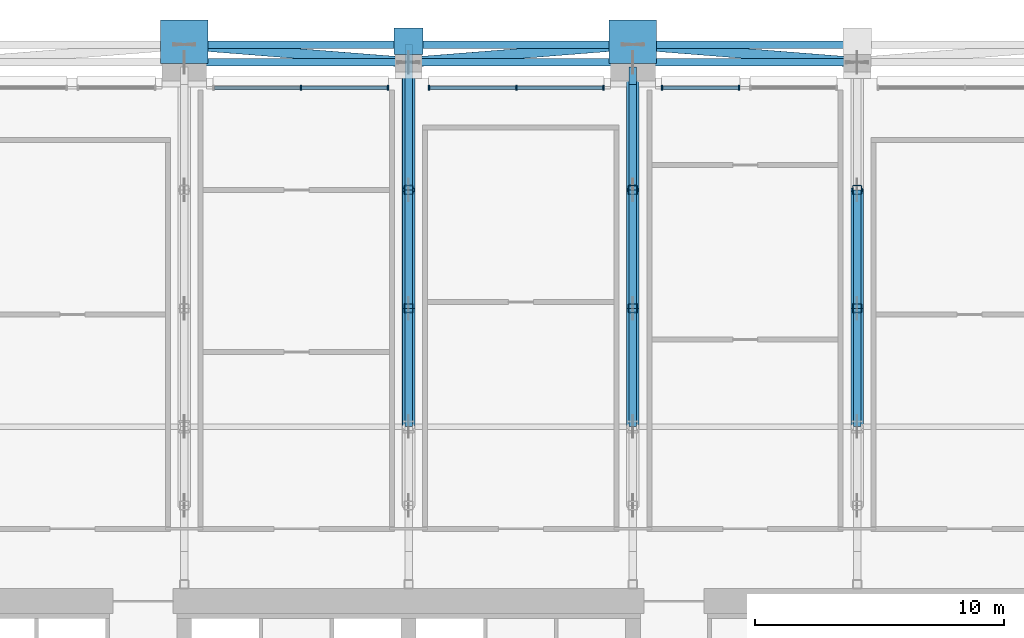
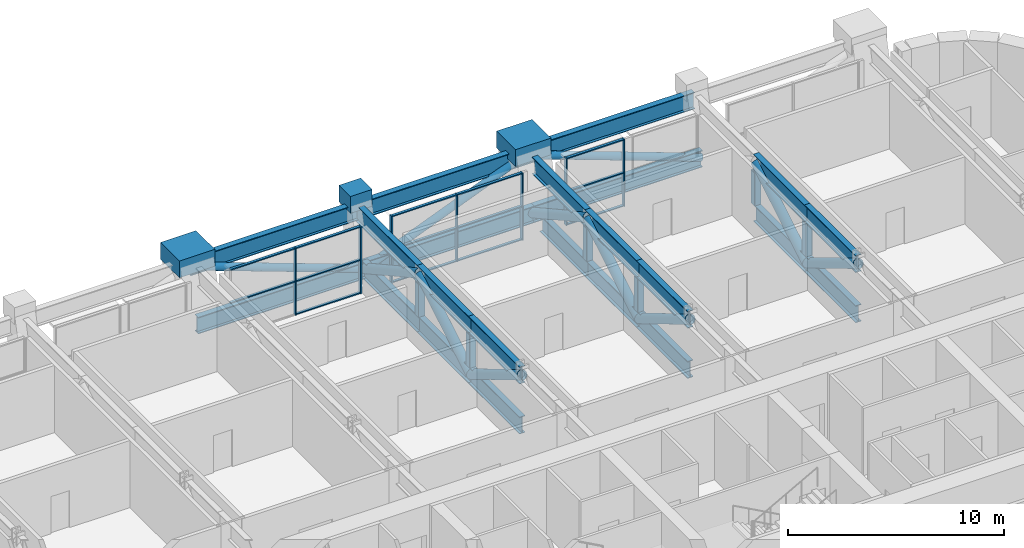
# One storey, part 7 of 27: 60 members, 3 beams, 3 elements without a shape of their own.
"""IFC4 building model written with IfcOpenShell, lengths in metres."""

from ifc_helpers import new_model, si_unit, direction, frame, origin, origin_2d, place, context, subcontext, project, spatial, rectangle, hollow_rectangle, hollow_circle, i_section, extrude, material, material_profile, profile_set, type_object, element, aggregate, save


model = new_model("IFC4")

# Units and contexts
model_context = context("Model", 3, precision=1e-05, world=origin(), true_north=direction((0.0, 1.0)))
body_context = subcontext(model_context, "Body", "Model", "MODEL_VIEW")
ifc_project = project(units=[si_unit("LENGTHUNIT", "METRE"), si_unit("AREAUNIT", "SQUARE_METRE"), si_unit("VOLUMEUNIT", "CUBIC_METRE"), si_unit("PLANEANGLEUNIT", "RADIAN"), si_unit("MASSUNIT", "GRAM", prefix="KILO")], contexts=[model_context])

# Site, building, storey
site_placement = place(None, origin())
site = spatial("IfcSite", under=ifc_project, at=site_placement, CompositionType="ELEMENT")
building_placement = place(site_placement, origin())
building = spatial("IfcBuilding", under=site, at=building_placement, Name="Zellij Exchange Tower", CompositionType="ELEMENT")
storey_placement = place(building_placement, frame((0.0, 0.0, 104.5)))
storey = spatial("IfcBuildingStorey", under=building, at=storey_placement, Name="L22", CompositionType="ELEMENT", Elevation=104.5)

# Curtain wall, members
ifc_material_1 = material(Name="Aluminium frame, clear insulating glass", Category="aluminium")
curtain_wall_type = type_object("IfcCurtainWallType", Name="ENV-CW2 Outrigger-storey glazing", PredefinedType="NOTDEFINED", material=ifc_material_1)
curtain_wall_1_placement = place(storey_placement, origin())
curtain_wall_1 = element("IfcCurtainWall", 1, at=curtain_wall_1_placement, inside=storey, type_object=curtain_wall_type, Name="cw.L22.14d", PredefinedType="NOTDEFINED")
ifc_material_2 = material(Name="Aluminium", Category="aluminium")
ifc_material_profile_1 = material_profile(ifc_material_2, rectangle(XDim=0.06005859375, YDim=0.199951171875, at=origin_2d()), Name="AL 60x200")
ifc_profile_set_1 = profile_set([ifc_material_profile_1], Name="Aluminium")
member_type_1 = type_object("IfcMemberType", Name="ENV-CW2M Mullion 60x200", PredefinedType="MULLION", material=ifc_profile_set_1)
member_1_placement = place(storey_placement, frame((13.27001953125, 18.10009765625, 0.0), z_axis=(0.0, 0.0, 1.0), x_axis=(-1.0, 0.0, 0.0)))
member_1 = element("IfcMember", 2, at=member_1_placement, type_object=member_type_1, Name="CW2 mullion 1", PredefinedType="MULLION", context=body_context, shape_type="SweptSolid", body=[
    extrude(rectangle(XDim=0.06005859375, YDim=0.199951171875, at=origin_2d()), origin(), (0.0, 0.0, 1.0), 3.800048828125),
])
member_2_placement = place(storey_placement, frame((10.179931640625, 18.10009765625, 0.0), z_axis=(0.0, 0.0, 1.0), x_axis=(-1.0, 0.0, 0.0)))
member_2 = element("IfcMember", 3, at=member_2_placement, type_object=member_type_1, Name="CW2 mullion 2", PredefinedType="MULLION", context=body_context, shape_type="SweptSolid", body=[
    extrude(rectangle(XDim=0.06005859375, YDim=0.199951171875, at=origin_2d()), origin(), (0.0, 0.0, 1.0), 3.800048828125),
])

curtain_wall_2_placement = place(storey_placement, origin())
curtain_wall_2 = element("IfcCurtainWall", 4, at=curtain_wall_2_placement, inside=storey, type_object=curtain_wall_type, Name="cw.L22.14e", PredefinedType="NOTDEFINED")
member_3_placement = place(storey_placement, frame((7.820068359375, 18.10009765625, 0.0), z_axis=(0.0, 0.0, 1.0), x_axis=(-1.0, 0.0, 0.0)))
member_3 = element("IfcMember", 5, at=member_3_placement, type_object=member_type_1, Name="CW2 mullion 1", PredefinedType="MULLION", context=body_context, shape_type="SweptSolid", body=[
    extrude(rectangle(XDim=0.06005859375, YDim=0.199951171875, at=origin_2d()), origin(), (0.0, 0.0, 1.0), 3.800048828125),
])
member_4_placement = place(storey_placement, frame((4.324951171875, 18.10009765625, 0.0), z_axis=(0.0, 0.0, 1.0), x_axis=(-1.0, 0.0, 0.0)))
member_4 = element("IfcMember", 6, at=member_4_placement, type_object=member_type_1, Name="CW2 mullion 2", PredefinedType="MULLION", context=body_context, shape_type="SweptSolid", body=[
    extrude(rectangle(XDim=0.06005859375, YDim=0.199951171875, at=origin_2d()), origin(), (0.0, 0.0, 1.0), 3.800048828125),
])
member_5_placement = place(storey_placement, frame((0.830078125, 18.10009765625, 0.0), z_axis=(0.0, 0.0, 1.0), x_axis=(-1.0, 0.0, 0.0)))
member_5 = element("IfcMember", 7, at=member_5_placement, type_object=member_type_1, Name="CW2 mullion 3", PredefinedType="MULLION", context=body_context, shape_type="SweptSolid", body=[
    extrude(rectangle(XDim=0.06005859375, YDim=0.199951171875, at=origin_2d()), origin(), (0.0, 0.0, 1.0), 3.800048828125),
])

curtain_wall_3_placement = place(storey_placement, origin())
curtain_wall_3 = element("IfcCurtainWall", 8, at=curtain_wall_3_placement, inside=storey, type_object=curtain_wall_type, Name="cw.L22.14f", PredefinedType="NOTDEFINED")
member_6_placement = place(storey_placement, frame((-0.830078125, 18.10009765625, 0.0), z_axis=(0.0, 0.0, 1.0), x_axis=(-1.0, 0.0, 0.0)))
member_6 = element("IfcMember", 9, at=member_6_placement, type_object=member_type_1, Name="CW2 mullion 1", PredefinedType="MULLION", context=body_context, shape_type="SweptSolid", body=[
    extrude(rectangle(XDim=0.06005859375, YDim=0.199951171875, at=origin_2d()), origin(), (0.0, 0.0, 1.0), 3.800048828125),
])
member_7_placement = place(storey_placement, frame((-4.324951171875, 18.10009765625, 0.0), z_axis=(0.0, 0.0, 1.0), x_axis=(-1.0, 0.0, 0.0)))
member_7 = element("IfcMember", 10, at=member_7_placement, type_object=member_type_1, Name="CW2 mullion 2", PredefinedType="MULLION", context=body_context, shape_type="SweptSolid", body=[
    extrude(rectangle(XDim=0.06005859375, YDim=0.199951171875, at=origin_2d()), origin(), (0.0, 0.0, 1.0), 3.800048828125),
])

# Member
ifc_material_profile_2 = material_profile(ifc_material_2, rectangle(XDim=0.139892578125, YDim=0.06005859375, at=origin_2d()), Name="AL 140x60")
ifc_profile_set_2 = profile_set([ifc_material_profile_2], Name="Aluminium")
member_type_2 = type_object("IfcMemberType", Name="ENV-CW2T Transom 140x60", PredefinedType="USERDEFINED", material=ifc_profile_set_2)
member_8_placement = place(storey_placement, frame((13.239990234375, 18.10009765625, 0.030029296875), z_axis=(-1.0, 0.0, 0.0), x_axis=(0.0, -1.0, 0.0)))
member_8 = element("IfcMember", 11, at=member_8_placement, type_object=member_type_2, Name="CW2 transom 1.1", ObjectType="TRANSOM", PredefinedType="USERDEFINED", context=body_context, shape_type="SweptSolid", body=[
    extrude(rectangle(XDim=0.139892578125, YDim=0.06005859375, at=origin_2d()), origin(), (0.0, 0.0, 1.0), 3.030029296875),
])

member_9_placement = place(storey_placement, frame((13.239990234375, 18.10009765625, 1.89990234375), z_axis=(-1.0, 0.0, 0.0), x_axis=(0.0, -1.0, 0.0)))
member_9 = element("IfcMember", 12, at=member_9_placement, type_object=member_type_2, Name="CW2 transom 1.2", ObjectType="TRANSOM", PredefinedType="USERDEFINED", context=body_context, shape_type="SweptSolid", body=[
    extrude(rectangle(XDim=0.139892578125, YDim=0.06005859375, at=origin_2d()), origin(), (0.0, 0.0, 1.0), 3.030029296875),
])

member_10_placement = place(storey_placement, frame((13.239990234375, 18.10009765625, 3.77001953125), z_axis=(-1.0, 0.0, 0.0), x_axis=(0.0, -1.0, 0.0)))
member_10 = element("IfcMember", 13, at=member_10_placement, type_object=member_type_2, Name="CW2 transom 1.3", ObjectType="TRANSOM", PredefinedType="USERDEFINED", context=body_context, shape_type="SweptSolid", body=[
    extrude(rectangle(XDim=0.139892578125, YDim=0.06005859375, at=origin_2d()), origin(), (0.0, 0.0, 1.0), 3.030029296875),
])

aggregate(curtain_wall_1, [member_1, member_2, member_8, member_9, member_10])

member_11_placement = place(storey_placement, frame((7.7900390625, 18.10009765625, 0.030029296875), z_axis=(-1.0, 0.0, 0.0), x_axis=(0.0, -1.0, 0.0)))
member_11 = element("IfcMember", 14, at=member_11_placement, type_object=member_type_2, Name="CW2 transom 1.1", ObjectType="TRANSOM", PredefinedType="USERDEFINED", context=body_context, shape_type="SweptSolid", body=[
    extrude(rectangle(XDim=0.139892578125, YDim=0.06005859375, at=origin_2d()), origin(), (0.0, 0.0, 1.0), 3.43505859375),
])

member_12_placement = place(storey_placement, frame((7.7900390625, 18.10009765625, 1.89990234375), z_axis=(-1.0, 0.0, 0.0), x_axis=(0.0, -1.0, 0.0)))
member_12 = element("IfcMember", 15, at=member_12_placement, type_object=member_type_2, Name="CW2 transom 1.2", ObjectType="TRANSOM", PredefinedType="USERDEFINED", context=body_context, shape_type="SweptSolid", body=[
    extrude(rectangle(XDim=0.139892578125, YDim=0.06005859375, at=origin_2d()), origin(), (0.0, 0.0, 1.0), 3.43505859375),
])

member_13_placement = place(storey_placement, frame((7.7900390625, 18.10009765625, 3.77001953125), z_axis=(-1.0, 0.0, 0.0), x_axis=(0.0, -1.0, 0.0)))
member_13 = element("IfcMember", 16, at=member_13_placement, type_object=member_type_2, Name="CW2 transom 1.3", ObjectType="TRANSOM", PredefinedType="USERDEFINED", context=body_context, shape_type="SweptSolid", body=[
    extrude(rectangle(XDim=0.139892578125, YDim=0.06005859375, at=origin_2d()), origin(), (0.0, 0.0, 1.0), 3.43505859375),
])

member_14_placement = place(storey_placement, frame((4.294921875, 18.10009765625, 0.030029296875), z_axis=(-1.0, 0.0, 0.0), x_axis=(0.0, -1.0, 0.0)))
member_14 = element("IfcMember", 17, at=member_14_placement, type_object=member_type_2, Name="CW2 transom 2.1", ObjectType="TRANSOM", PredefinedType="USERDEFINED", context=body_context, shape_type="SweptSolid", body=[
    extrude(rectangle(XDim=0.139892578125, YDim=0.06005859375, at=origin_2d()), origin(), (0.0, 0.0, 1.0), 3.434814453125),
])

member_15_placement = place(storey_placement, frame((4.294921875, 18.10009765625, 1.89990234375), z_axis=(-1.0, 0.0, 0.0), x_axis=(0.0, -1.0, 0.0)))
member_15 = element("IfcMember", 18, at=member_15_placement, type_object=member_type_2, Name="CW2 transom 2.2", ObjectType="TRANSOM", PredefinedType="USERDEFINED", context=body_context, shape_type="SweptSolid", body=[
    extrude(rectangle(XDim=0.139892578125, YDim=0.06005859375, at=origin_2d()), origin(), (0.0, 0.0, 1.0), 3.434814453125),
])

member_16_placement = place(storey_placement, frame((4.294921875, 18.10009765625, 3.77001953125), z_axis=(-1.0, 0.0, 0.0), x_axis=(0.0, -1.0, 0.0)))
member_16 = element("IfcMember", 19, at=member_16_placement, type_object=member_type_2, Name="CW2 transom 2.3", ObjectType="TRANSOM", PredefinedType="USERDEFINED", context=body_context, shape_type="SweptSolid", body=[
    extrude(rectangle(XDim=0.139892578125, YDim=0.06005859375, at=origin_2d()), origin(), (0.0, 0.0, 1.0), 3.434814453125),
])

aggregate(curtain_wall_2, [member_3, member_4, member_5, member_11, member_12, member_13, member_14, member_15, member_16])

member_17_placement = place(storey_placement, frame((-0.860107421875, 18.10009765625, 0.030029296875), z_axis=(-1.0, 0.0, 0.0), x_axis=(0.0, -1.0, 0.0)))
member_17 = element("IfcMember", 20, at=member_17_placement, type_object=member_type_2, Name="CW2 transom 1.1", ObjectType="TRANSOM", PredefinedType="USERDEFINED", context=body_context, shape_type="SweptSolid", body=[
    extrude(rectangle(XDim=0.139892578125, YDim=0.06005859375, at=origin_2d()), origin(), (0.0, 0.0, 1.0), 3.434814453125),
])

member_18_placement = place(storey_placement, frame((-0.860107421875, 18.10009765625, 1.89990234375), z_axis=(-1.0, 0.0, 0.0), x_axis=(0.0, -1.0, 0.0)))
member_18 = element("IfcMember", 21, at=member_18_placement, type_object=member_type_2, Name="CW2 transom 1.2", ObjectType="TRANSOM", PredefinedType="USERDEFINED", context=body_context, shape_type="SweptSolid", body=[
    extrude(rectangle(XDim=0.139892578125, YDim=0.06005859375, at=origin_2d()), origin(), (0.0, 0.0, 1.0), 3.434814453125),
])

member_19_placement = place(storey_placement, frame((-0.860107421875, 18.10009765625, 3.77001953125), z_axis=(-1.0, 0.0, 0.0), x_axis=(0.0, -1.0, 0.0)))
member_19 = element("IfcMember", 22, at=member_19_placement, type_object=member_type_2, Name="CW2 transom 1.3", ObjectType="TRANSOM", PredefinedType="USERDEFINED", context=body_context, shape_type="SweptSolid", body=[
    extrude(rectangle(XDim=0.139892578125, YDim=0.06005859375, at=origin_2d()), origin(), (0.0, 0.0, 1.0), 3.434814453125),
])

member_20_placement = place(storey_placement, frame((-4.35498046875, 18.10009765625, 1.89990234375), z_axis=(-1.0, 0.0, 0.0), x_axis=(0.0, -1.0, 0.0)))
member_20 = element("IfcMember", 23, at=member_20_placement, type_object=member_type_2, Name="CW2 transom 2.2", ObjectType="TRANSOM", PredefinedType="USERDEFINED", context=body_context, shape_type="SweptSolid", body=[
    extrude(rectangle(XDim=0.139892578125, YDim=0.06005859375, at=origin_2d()), origin(), (0.0, 0.0, 1.0), 3.43505859375),
])

member_21_placement = place(storey_placement, frame((-4.35498046875, 18.10009765625, 3.77001953125), z_axis=(-1.0, 0.0, 0.0), x_axis=(0.0, -1.0, 0.0)))
member_21 = element("IfcMember", 24, at=member_21_placement, type_object=member_type_2, Name="CW2 transom 2.3", ObjectType="TRANSOM", PredefinedType="USERDEFINED", context=body_context, shape_type="SweptSolid", body=[
    extrude(rectangle(XDim=0.139892578125, YDim=0.06005859375, at=origin_2d()), origin(), (0.0, 0.0, 1.0), 3.43505859375),
])

aggregate(curtain_wall_3, [member_6, member_7, member_17, member_18, member_19, member_20, member_21])

# Members
ifc_material_3 = material(Name="Structural steel ASTM A992 Gr 50", Category="steel")
ifc_material_profile_3 = material_profile(ifc_material_3, i_section(OverallWidth=0.307373046875, OverallDepth=0.9423828125, WebThickness=0.022216796875, FlangeThickness=0.039794921875, at=origin_2d()), Name="W36x232")
ifc_profile_set_3 = profile_set([ifc_material_profile_3], Name="Structural steel ASTM A992 Gr 50")
member_type_3 = type_object("IfcMemberType", Name="STR-BELT TRUSS CHORD W36x232", PredefinedType="CHORD", material=ifc_profile_set_3)
for number, where, z_axis, x_axis, name in (
    (25, (-9.0, 19.117919921875, 0.47119140625), (1.0, 0.0, 0.0), (0.0, 1.0, 0.0), "BT1"),
    (26, (-9.0, 19.832275390625, 3.328857421875), (1.0, 0.0, 0.0), (0.0, 1.0, 0.0), "BT1"),
    (27, (0.0, 19.117919921875, 0.47119140625), (1.0, 0.0, 0.0), (0.0, 1.0, 0.0), "BT1"),
    (28, (0.0, 19.832275390625, 3.328857421875), (1.0, 0.0, 0.0), (0.0, 1.0, 0.0), "BT1"),
    (29, (9.0, 19.117919921875, 0.47119140625), (1.0, 0.0, 0.0), (0.0, 1.0, 0.0), "BT1"),
    (30, (9.0, 19.832275390625, 3.328857421875), (1.0, 0.0, 0.0), (0.0, 1.0, 0.0), "BT1"),
):
    element("IfcMember", number, at=place(storey_placement, frame(where, z_axis=z_axis, x_axis=x_axis)), inside=storey, type_object=member_type_3, Name=name, PredefinedType="CHORD", context=body_context, shape_type="SweptSolid", body=[
        extrude(i_section(OverallWidth=0.307373046875, OverallDepth=0.9423828125, WebThickness=0.022216796875, FlangeThickness=0.039794921875, at=origin_2d()), origin(), (0.0, 0.0, 1.0), 9.0),
    ])
ifc_material_4 = material(Name="Structural steel ASTM A500 Gr C", Category="steel")
ifc_material_profile_4 = material_profile(ifc_material_4, hollow_circle(Radius=0.203125, WallThickness=0.01171875, at=origin_2d()), Name="STR-BELT TRUSS DIAGONAL HSS16.000x0.500")
ifc_profile_set_4 = profile_set([ifc_material_profile_4], Name="Structural steel ASTM A500 Gr C")
member_type_4 = type_object("IfcMemberType", Name="STR-BELT TRUSS DIAGONAL HSS16.000x0.500", PredefinedType="BRACE", material=ifc_profile_set_4)
for number, where, z_axis, x_axis, name in (
    (31, (-9.0, 19.832275390625, 3.328857421875), (0.950392591406, -0.075435349459, -0.301767178885), (0.079123978831, 0.996864783195, 0.0), "BT2"),
    (32, (0.0, 19.117919921875, 0.47119140625), (0.950392591406, 0.075435349459, 0.301767178885), (-0.079123978831, 0.996864783195, 0.0), "BT2"),
    (33, (9.0, 19.832275390625, 3.328857421875), (0.950392591406, -0.075435349459, -0.301767178885), (0.079123978831, 0.996864783195, 0.0), "BT2"),
):
    element("IfcMember", number, at=place(storey_placement, frame(where, z_axis=z_axis, x_axis=x_axis)), inside=storey, type_object=member_type_4, Name=name, PredefinedType="BRACE", context=body_context, shape_type="SweptSolid", body=[
        extrude(hollow_circle(Radius=0.203125, WallThickness=0.01171875, at=origin_2d()), origin(), (0.0, 0.0, 1.0), 9.4697265625),
    ])

# Beams
ifc_material_5 = material(Name="Concrete C70/85", Category="concrete")
ifc_material_profile_5 = material_profile(ifc_material_5, rectangle(XDim=1.14990234375, YDim=0.949951171875, at=origin_2d()), Name="STR-KNUCKLE BLOCK RC1150x950 C70/85")
ifc_profile_set_5 = profile_set([ifc_material_profile_5], Name="Concrete C70/85")
beam_type_1 = type_object("IfcBeamType", Name="STR-KNUCKLE BLOCK RC1150x950 C70/85", PredefinedType="BEAM", material=ifc_profile_set_5)
beam_placement = place(storey_placement, frame((0.0, 19.43310546875, 4.074951171875), z_axis=(0.0, 1.0, 0.0), x_axis=(-1.0, 0.0, 0.0)))
element("IfcBeam", 34, at=beam_placement, inside=storey, type_object=beam_type_1, Name="KB5", PredefinedType="BEAM", context=body_context, shape_type="SweptSolid", body=[
    extrude(rectangle(XDim=1.14990234375, YDim=0.949951171875, at=origin_2d()), origin(), (0.0, 0.0, 1.0), 1.067138671875),
])
ifc_material_profile_6 = material_profile(ifc_material_5, rectangle(XDim=1.89990234375, YDim=0.949951171875, at=origin_2d()), Name="STR-KNUCKLE BLOCK RC1900x950 C70/85")
ifc_profile_set_6 = profile_set([ifc_material_profile_6], Name="Concrete C70/85")
beam_type_2 = type_object("IfcBeamType", Name="STR-KNUCKLE BLOCK RC1900x950 C70/85", PredefinedType="BEAM", material=ifc_profile_set_6)
for number, where, z_axis, x_axis, name in (
    (35, (-9.0, 19.072265625, 3.925048828125), (0.0, 1.0, 0.0), (-1.0, 0.0, 0.0), "KB10"),
    (36, (9.0, 19.072265625, 3.925048828125), (0.0, 1.0, 0.0), (-1.0, 0.0, 0.0), "KB10"),
):
    element("IfcBeam", number, at=place(storey_placement, frame(where, z_axis=z_axis, x_axis=x_axis)), inside=storey, type_object=beam_type_2, Name=name, PredefinedType="BEAM", context=body_context, shape_type="SweptSolid", body=[
        extrude(rectangle(XDim=1.89990234375, YDim=0.949951171875, at=origin_2d()), origin(), (0.0, 0.0, 1.0), 1.746337890625),
    ])

# Members
ifc_material_6 = material(Name="Structural steel ASTM A913 Gr 65", Category="steel")
ifc_material_profile_7 = material_profile(ifc_material_6, i_section(OverallWidth=0.2998046875, OverallDepth=0.965087890625, WebThickness=0.01904296875, FlangeThickness=0.0361328125, at=origin_2d()), Name="W40x249")
ifc_profile_set_7 = profile_set([ifc_material_profile_7], Name="Structural steel ASTM A913 Gr 65")
member_type_5 = type_object("IfcMemberType", Name="STR-OUTRIGGER TRUSS CHORD W40x249", PredefinedType="CHORD", material=ifc_profile_set_7)
for number, where, z_axis, x_axis, name in (
    (37, (0.0, 4.5, 3.3173828125), (0.0, 1.0, 0.0), (-1.0, 0.0, 0.0), "OT1"),
    (38, (0.0, 4.5, 0.482666015625), (0.0, 1.0, 0.0), (-1.0, 0.0, 0.0), "OT1"),
    (39, (0.0, 9.25, 3.3173828125), (0.0, 1.0, 0.0), (-1.0, 0.0, 0.0), "OT1"),
    (40, (0.0, 9.25, 0.482666015625), (0.0, 1.0, 0.0), (-1.0, 0.0, 0.0), "OT1"),
):
    element("IfcMember", number, at=place(storey_placement, frame(where, z_axis=z_axis, x_axis=x_axis)), inside=storey, type_object=member_type_5, Name=name, PredefinedType="CHORD", context=body_context, shape_type="SweptSolid", body=[
        extrude(i_section(OverallWidth=0.2998046875, OverallDepth=0.965087890625, WebThickness=0.01904296875, FlangeThickness=0.0361328125, at=origin_2d()), origin(), (0.0, 0.0, 1.0), 4.75),
    ])
member_22_placement = place(storey_placement, frame((0.0, 14.0, 3.3173828125), z_axis=(0.0, 1.0, 0.0), x_axis=(-1.0, 0.0, 0.0)))
element("IfcMember", 41, at=member_22_placement, inside=storey, type_object=member_type_5, Name="OT1", PredefinedType="CHORD", context=body_context, shape_type="SweptSolid", body=[
    extrude(i_section(OverallWidth=0.2998046875, OverallDepth=0.965087890625, WebThickness=0.01904296875, FlangeThickness=0.0361328125, at=origin_2d()), origin(), (0.0, 0.0, 1.0), 5.829345703125),
])
member_23_placement = place(storey_placement, frame((0.0, 14.0, 0.482666015625), z_axis=(0.0, 1.0, 0.0), x_axis=(-1.0, 0.0, 0.0)))
element("IfcMember", 42, at=member_23_placement, inside=storey, type_object=member_type_5, Name="OT1", PredefinedType="CHORD", context=body_context, shape_type="SweptSolid", body=[
    extrude(i_section(OverallWidth=0.2998046875, OverallDepth=0.965087890625, WebThickness=0.01904296875, FlangeThickness=0.0361328125, at=origin_2d()), origin(), (0.0, 0.0, 1.0), 5.12060546875),
])
for number, where, z_axis, x_axis, name in (
    (43, (9.0, 4.5, 3.3173828125), (0.0, 1.0, 0.0), (-1.0, 0.0, 0.0), "OT1"),
    (44, (9.0, 4.5, 0.482666015625), (0.0, 1.0, 0.0), (-1.0, 0.0, 0.0), "OT1"),
    (45, (9.0, 9.25, 3.3173828125), (0.0, 1.0, 0.0), (-1.0, 0.0, 0.0), "OT1"),
    (46, (9.0, 9.25, 0.482666015625), (0.0, 1.0, 0.0), (-1.0, 0.0, 0.0), "OT1"),
):
    element("IfcMember", number, at=place(storey_placement, frame(where, z_axis=z_axis, x_axis=x_axis)), inside=storey, type_object=member_type_5, Name=name, PredefinedType="CHORD", context=body_context, shape_type="SweptSolid", body=[
        extrude(i_section(OverallWidth=0.2998046875, OverallDepth=0.965087890625, WebThickness=0.01904296875, FlangeThickness=0.0361328125, at=origin_2d()), origin(), (0.0, 0.0, 1.0), 4.75),
    ])
member_24_placement = place(storey_placement, frame((9.0, 14.0, 3.3173828125), z_axis=(0.0, 1.0, 0.0), x_axis=(-1.0, 0.0, 0.0)))
element("IfcMember", 47, at=member_24_placement, inside=storey, type_object=member_type_5, Name="OT1", PredefinedType="CHORD", context=body_context, shape_type="SweptSolid", body=[
    extrude(i_section(OverallWidth=0.2998046875, OverallDepth=0.965087890625, WebThickness=0.01904296875, FlangeThickness=0.0361328125, at=origin_2d()), origin(), (0.0, 0.0, 1.0), 4.929443359375),
])
member_25_placement = place(storey_placement, frame((9.0, 14.0, 0.482666015625), z_axis=(0.0, 1.0, 0.0), x_axis=(-1.0, 0.0, 0.0)))
element("IfcMember", 48, at=member_25_placement, inside=storey, type_object=member_type_5, Name="OT1", PredefinedType="CHORD", context=body_context, shape_type="SweptSolid", body=[
    extrude(i_section(OverallWidth=0.2998046875, OverallDepth=0.965087890625, WebThickness=0.01904296875, FlangeThickness=0.0361328125, at=origin_2d()), origin(), (0.0, 0.0, 1.0), 4.220703125),
])
for number, where, z_axis, x_axis, name in (
    (49, (18.0, 4.5, 3.3173828125), (0.0, 1.0, 0.0), (-1.0, 0.0, 0.0), "OT1"),
    (50, (18.0, 4.5, 0.482666015625), (0.0, 1.0, 0.0), (-1.0, 0.0, 0.0), "OT1"),
    (51, (18.0, 9.25, 3.3173828125), (0.0, 1.0, 0.0), (-1.0, 0.0, 0.0), "OT1"),
    (52, (18.0, 9.25, 0.482666015625), (0.0, 1.0, 0.0), (-1.0, 0.0, 0.0), "OT1"),
):
    element("IfcMember", number, at=place(storey_placement, frame(where, z_axis=z_axis, x_axis=x_axis)), inside=storey, type_object=member_type_5, Name=name, PredefinedType="CHORD", context=body_context, shape_type="SweptSolid", body=[
        extrude(i_section(OverallWidth=0.2998046875, OverallDepth=0.965087890625, WebThickness=0.01904296875, FlangeThickness=0.0361328125, at=origin_2d()), origin(), (0.0, 0.0, 1.0), 4.75),
    ])
ifc_material_profile_8 = material_profile(ifc_material_4, hollow_circle(Radius=0.25390625, WallThickness=0.01171875, at=origin_2d()), Name="STR-OUTRIGGER TRUSS DIAGONAL HSS20.000x0.500")
ifc_profile_set_8 = profile_set([ifc_material_profile_8], Name="Structural steel ASTM A500 Gr C")
member_type_6 = type_object("IfcMemberType", Name="STR-OUTRIGGER TRUSS DIAGONAL HSS20.000x0.500", PredefinedType="BRACE", material=ifc_profile_set_8)
for number, where, z_axis, x_axis, name in (
    (53, (0.0, 4.5, 3.3173828125), (0.0, 0.858709450823, -0.512462758712), (-1.0, 0.0, 0.0), "OT2"),
    (54, (0.0, 9.25, 0.482666015625), (0.0, 0.858709450823, 0.512462758712), (-1.0, 0.0, 0.0), "OT2"),
):
    element("IfcMember", number, at=place(storey_placement, frame(where, z_axis=z_axis, x_axis=x_axis)), inside=storey, type_object=member_type_6, Name=name, PredefinedType="BRACE", context=body_context, shape_type="SweptSolid", body=[
        extrude(hollow_circle(Radius=0.25390625, WallThickness=0.01171875, at=origin_2d()), origin(), (0.0, 0.0, 1.0), 5.531494140625),
    ])
member_26_placement = place(storey_placement, frame((0.0, 14.0, 3.3173828125), z_axis=(0.0, 0.874886264276, -0.484328426361), x_axis=(-1.0, 0.0, 0.0)))
element("IfcMember", 55, at=member_26_placement, inside=storey, type_object=member_type_6, Name="OT2", PredefinedType="BRACE", context=body_context, shape_type="SweptSolid", body=[
    extrude(hollow_circle(Radius=0.25390625, WallThickness=0.01171875, at=origin_2d()), origin(), (0.0, 0.0, 1.0), 5.852783203125),
])
for number, where, z_axis, x_axis, name in (
    (56, (9.0, 4.5, 3.3173828125), (0.0, 0.858709450823, -0.512462758712), (-1.0, 0.0, 0.0), "OT2"),
    (57, (9.0, 9.25, 0.482666015625), (0.0, 0.858709450823, 0.512462758712), (-1.0, 0.0, 0.0), "OT2"),
):
    element("IfcMember", number, at=place(storey_placement, frame(where, z_axis=z_axis, x_axis=x_axis)), inside=storey, type_object=member_type_6, Name=name, PredefinedType="BRACE", context=body_context, shape_type="SweptSolid", body=[
        extrude(hollow_circle(Radius=0.25390625, WallThickness=0.01171875, at=origin_2d()), origin(), (0.0, 0.0, 1.0), 5.531494140625),
    ])
member_27_placement = place(storey_placement, frame((9.0, 14.0, 3.3173828125), z_axis=(0.0, 0.874886264276, -0.484328426361), x_axis=(-1.0, 0.0, 0.0)))
element("IfcMember", 58, at=member_27_placement, inside=storey, type_object=member_type_6, Name="OT2", PredefinedType="BRACE", context=body_context, shape_type="SweptSolid", body=[
    extrude(hollow_circle(Radius=0.25390625, WallThickness=0.01171875, at=origin_2d()), origin(), (0.0, 0.0, 1.0), 5.852783203125),
])
for number, where, z_axis, x_axis, name in (
    (59, (18.0, 4.5, 3.3173828125), (0.0, 0.858709450823, -0.512462758712), (-1.0, 0.0, 0.0), "OT2"),
    (60, (18.0, 9.25, 0.482666015625), (0.0, 0.858709450823, 0.512462758712), (-1.0, 0.0, 0.0), "OT2"),
):
    element("IfcMember", number, at=place(storey_placement, frame(where, z_axis=z_axis, x_axis=x_axis)), inside=storey, type_object=member_type_6, Name=name, PredefinedType="BRACE", context=body_context, shape_type="SweptSolid", body=[
        extrude(hollow_circle(Radius=0.25390625, WallThickness=0.01171875, at=origin_2d()), origin(), (0.0, 0.0, 1.0), 5.531494140625),
    ])
ifc_material_profile_9 = material_profile(ifc_material_4, hollow_rectangle(XDim=0.355712890625, YDim=0.355712890625, WallThickness=0.01171875, InnerFilletRadius=0.01171875, OuterFilletRadius=0.023681640625, at=origin_2d()), Name="STR-OUTRIGGER TRUSS POST HSS14x14x1/2")
ifc_profile_set_9 = profile_set([ifc_material_profile_9], Name="Structural steel ASTM A500 Gr C")
member_type_7 = type_object("IfcMemberType", Name="STR-OUTRIGGER TRUSS POST HSS14x14x1/2", PredefinedType="POST", material=ifc_profile_set_9)
for number, where, z_axis, x_axis, name in (
    (61, (0.0, 9.25, 0.965087890625), (0.0, 0.0, 1.0), (1.0, 0.0, 0.0), "OT3"),
    (62, (0.0, 14.0, 0.965087890625), (0.0, 0.0, 1.0), (1.0, 0.0, 0.0), "OT3"),
    (63, (9.0, 9.25, 0.965087890625), (0.0, 0.0, 1.0), (1.0, 0.0, 0.0), "OT3"),
    (64, (9.0, 14.0, 0.965087890625), (0.0, 0.0, 1.0), (1.0, 0.0, 0.0), "OT3"),
    (65, (18.0, 9.25, 0.965087890625), (0.0, 0.0, 1.0), (1.0, 0.0, 0.0), "OT3"),
    (66, (18.0, 14.0, 0.965087890625), (0.0, 0.0, 1.0), (1.0, 0.0, 0.0), "OT3"),
):
    element("IfcMember", number, at=place(storey_placement, frame(where, z_axis=z_axis, x_axis=x_axis)), inside=storey, type_object=member_type_7, Name=name, PredefinedType="POST", context=body_context, shape_type="SweptSolid", body=[
        extrude(hollow_rectangle(XDim=0.355712890625, YDim=0.355712890625, WallThickness=0.01171875, InnerFilletRadius=0.01171875, OuterFilletRadius=0.023681640625, at=origin_2d()), origin(), (0.0, 0.0, 1.0), 1.86962890625),
    ])

save(model, "model.ifc")
